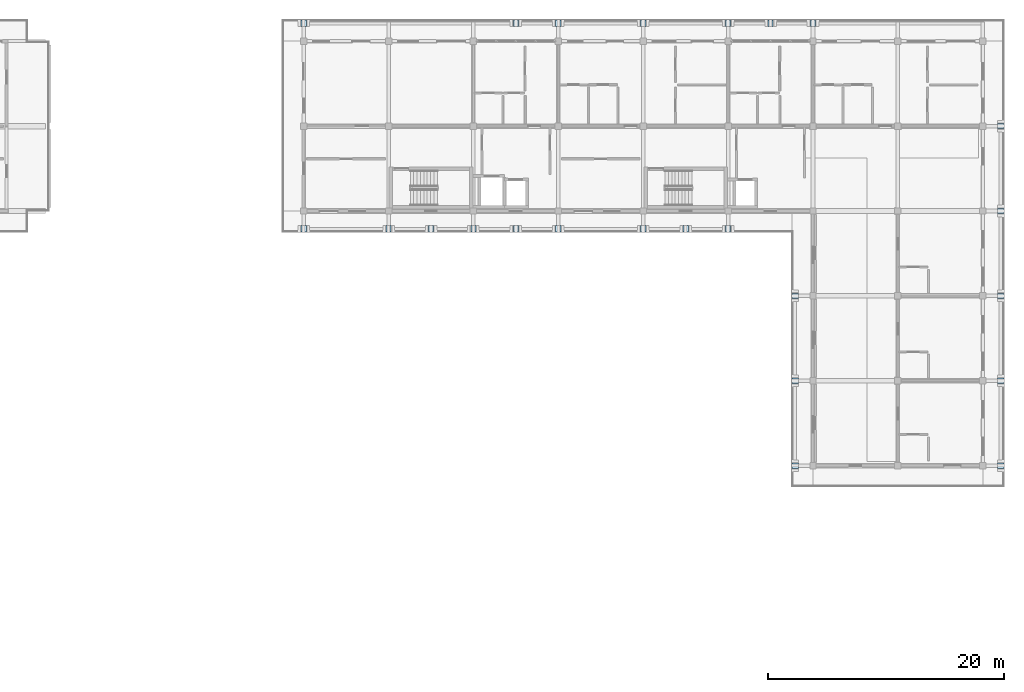
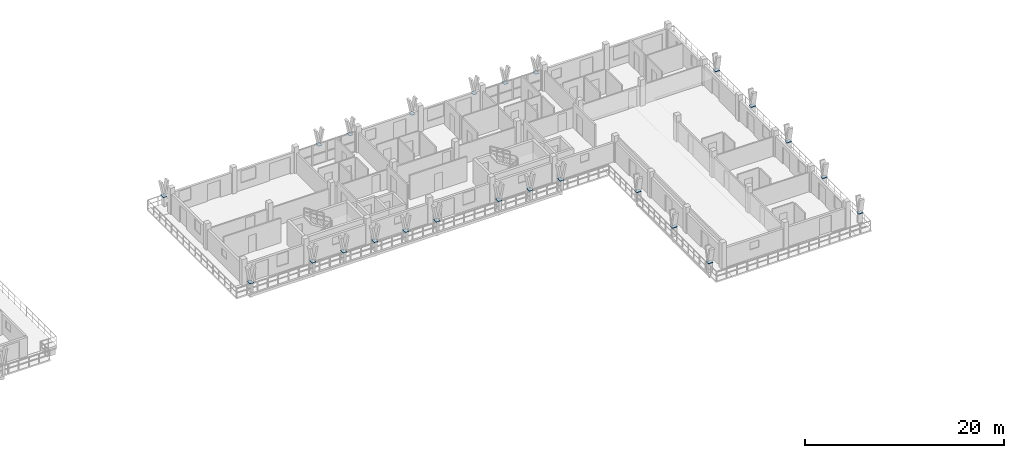
# One storey, part 33 of 67: 24 plates.
"""IFC4 building model written with IfcOpenShell, lengths in metres."""

from ifc_helpers import new_model, si_unit, direction, frame, origin, origin_2d, place, context, subcontext, project, spatial, rectangle, extrude, material, layer, layer_set, type_object, element, save


model = new_model("IFC4")

# Units and contexts
model_context = context("Model", 3, precision=1e-05, world=origin(), true_north=direction((0.0, 1.0)))
body_context = subcontext(model_context, "Body", "Model", "MODEL_VIEW")
ifc_project = project(units=[si_unit("LENGTHUNIT", "METRE"), si_unit("AREAUNIT", "SQUARE_METRE"), si_unit("VOLUMEUNIT", "CUBIC_METRE"), si_unit("PLANEANGLEUNIT", "RADIAN"), si_unit("MASSUNIT", "GRAM", prefix="KILO")], contexts=[model_context])

# Site, building, storey
site_placement = place(None, origin())
site = spatial("IfcSite", under=ifc_project, at=site_placement, CompositionType="ELEMENT")
building_placement = place(site_placement, origin())
building = spatial("IfcBuilding", under=site, at=building_placement, Name="Suanplinth Sawtooth Commons", CompositionType="ELEMENT")
storey_placement = place(building_placement, frame((0.0, 0.0, 25.10009765625)))
storey = spatial("IfcBuildingStorey", under=building, at=storey_placement, Name="L07", CompositionType="ELEMENT", Elevation=25.10009765625)

# Plates
ifc_material = material(Name="Pigmented precast concrete C40/50", Category="concrete")
ifc_layer = layer(ifc_material, 0.06005859375, Name="Precast Y-blade bifurcation node plate 60mm")
ifc_layer_set = layer_set([ifc_layer], Name="Pigmented precast concrete C40/50")
plate_type = type_object("IfcPlateType", Name="PL-04", PredefinedType="USERDEFINED", material=ifc_layer_set)
for number, where, z_axis, x_axis, name in (
    (1, (129.60009765625, 123.919921875, 1.119873046875), (0.0, 0.0, 1.0), (1.0, 0.0, 0.0), "Y-Blade Node Plate L07-B-N-01"),
    (2, (147.60009765625, 123.919921875, 1.119873046875), (0.0, 0.0, 1.0), (1.0, 0.0, 0.0), "Y-Blade Node Plate L07-B-N-02"),
    (3, (151.199951171875, 123.919921875, 1.119873046875), (0.0, 0.0, 1.0), (1.0, 0.0, 0.0), "Y-Blade Node Plate L07-B-N-03"),
    (4, (158.39990234375, 123.919921875, 1.119873046875), (0.0, 0.0, 1.0), (1.0, 0.0, 0.0), "Y-Blade Node Plate L07-B-N-04"),
    (5, (165.60009765625, 123.919921875, 1.119873046875), (0.0, 0.0, 1.0), (1.0, 0.0, 0.0), "Y-Blade Node Plate L07-B-N-05"),
    (6, (169.199951171875, 123.919921875, 1.119873046875), (0.0, 0.0, 1.0), (1.0, 0.0, 0.0), "Y-Blade Node Plate L07-B-N-06"),
    (7, (172.800048828125, 123.919921875, 1.119873046875), (0.0, 0.0, 1.0), (1.0, 0.0, 0.0), "Y-Blade Node Plate L07-B-N-07"),
    (8, (188.719970703125, 86.39990234375, 1.119873046875), (0.0, 0.0, 1.0), (0.0, 1.0, 0.0), "Y-Blade Node Plate L07-B-E-08"),
    (9, (188.719970703125, 93.60009765625, 1.119873046875), (0.0, 0.0, 1.0), (0.0, 1.0, 0.0), "Y-Blade Node Plate L07-B-E-09"),
    (10, (188.719970703125, 100.800048828125, 1.119873046875), (0.0, 0.0, 1.0), (0.0, 1.0, 0.0), "Y-Blade Node Plate L07-B-E-10"),
    (11, (188.719970703125, 108.0, 1.119873046875), (0.0, 0.0, 1.0), (0.0, 1.0, 0.0), "Y-Blade Node Plate L07-B-E-11"),
    (12, (188.719970703125, 115.199951171875, 1.119873046875), (0.0, 0.0, 1.0), (0.0, 1.0, 0.0), "Y-Blade Node Plate L07-B-E-12"),
    (13, (129.60009765625, 106.47998046875, 1.119873046875), (0.0, 0.0, 1.0), (1.0, 0.0, 0.0), "Y-Blade Node Plate L07-B-SC-13"),
    (14, (136.800048828125, 106.47998046875, 1.119873046875), (0.0, 0.0, 1.0), (1.0, 0.0, 0.0), "Y-Blade Node Plate L07-B-SC-14"),
    (15, (140.39990234375, 106.47998046875, 1.119873046875), (0.0, 0.0, 1.0), (1.0, 0.0, 0.0), "Y-Blade Node Plate L07-B-SC-15"),
    (16, (144.0, 106.47998046875, 1.119873046875), (0.0, 0.0, 1.0), (1.0, 0.0, 0.0), "Y-Blade Node Plate L07-B-SC-16"),
    (17, (147.60009765625, 106.47998046875, 1.119873046875), (0.0, 0.0, 1.0), (1.0, 0.0, 0.0), "Y-Blade Node Plate L07-B-SC-17"),
    (18, (151.199951171875, 106.47998046875, 1.119873046875), (0.0, 0.0, 1.0), (1.0, 0.0, 0.0), "Y-Blade Node Plate L07-B-SC-18"),
    (19, (158.39990234375, 106.47998046875, 1.119873046875), (0.0, 0.0, 1.0), (1.0, 0.0, 0.0), "Y-Blade Node Plate L07-B-SC-19"),
    (20, (162.0, 106.47998046875, 1.119873046875), (0.0, 0.0, 1.0), (1.0, 0.0, 0.0), "Y-Blade Node Plate L07-B-SC-20"),
    (21, (165.60009765625, 106.47998046875, 1.119873046875), (0.0, 0.0, 1.0), (1.0, 0.0, 0.0), "Y-Blade Node Plate L07-B-SC-21"),
    (22, (171.280029296875, 86.39990234375, 1.119873046875), (0.0, 0.0, 1.0), (0.0, 1.0, 0.0), "Y-Blade Node Plate L07-B-WC-22"),
    (23, (171.280029296875, 93.60009765625, 1.119873046875), (0.0, 0.0, 1.0), (0.0, 1.0, 0.0), "Y-Blade Node Plate L07-B-WC-23"),
    (24, (171.280029296875, 100.800048828125, 1.119873046875), (0.0, 0.0, 1.0), (0.0, 1.0, 0.0), "Y-Blade Node Plate L07-B-WC-24"),
):
    element("IfcPlate", number, at=place(storey_placement, frame(where, z_axis=z_axis, x_axis=x_axis)), inside=storey, type_object=plate_type, Name=name, ObjectType="GUSSET PLATE", PredefinedType="USERDEFINED", context=body_context, shape_type="SweptSolid", body=[
        extrude(rectangle(XDim=0.43994140625, YDim=0.550048828125, at=origin_2d()), origin(), (0.0, 0.0, 1.0), 0.06005859375),
    ])

save(model, "model.ifc")
